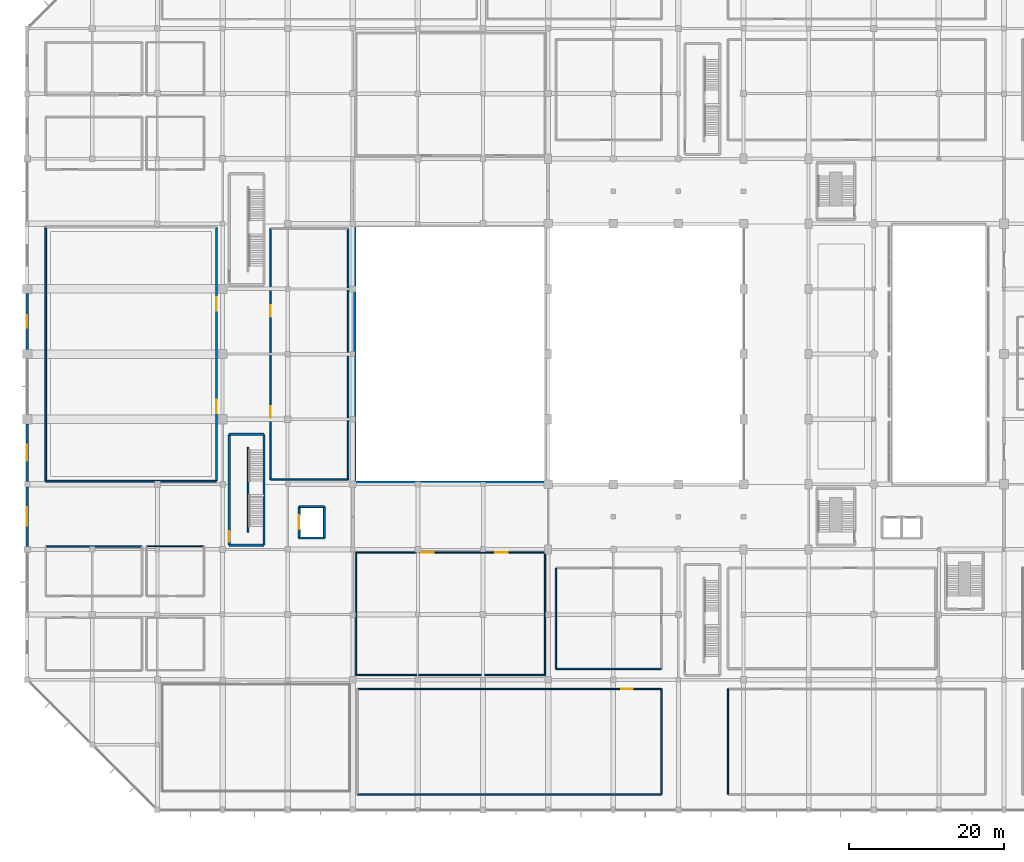
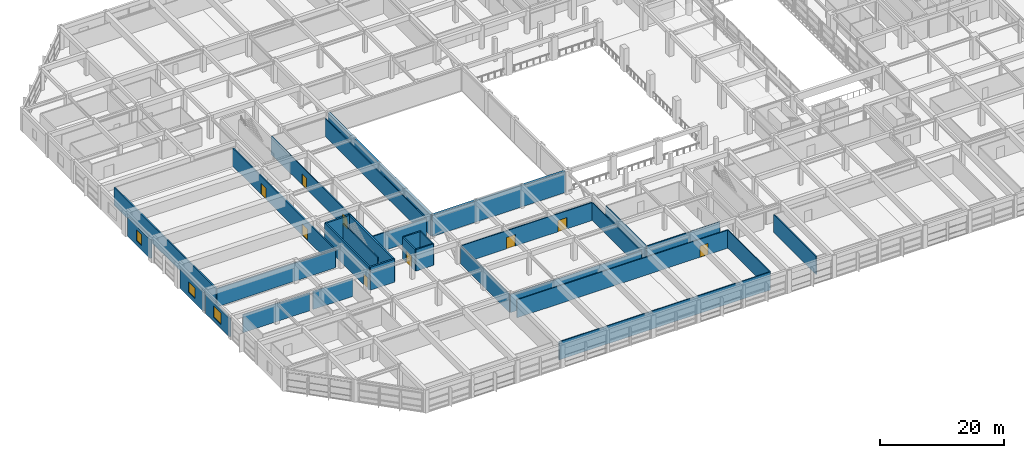
# One storey, part 51 of 65: 32 walls, 9 doors, 3 windows, 12 openings.
"""IFC4 building model written with IfcOpenShell, lengths in metres."""

import ifcopenshell
import ifcopenshell.guid

model = None  # the IFC model being written
_history = None  # IfcOwnerHistory: only IFC2X3 demands one
_inside = {}  # id of a spatial element -> (the spatial element, [elements in it])
_under = {}  # id of a project, library or spatial element -> (it, [spatial elements below it])
_declared = {}  # id of a project -> (the project, [libraries it declares])
_typed = {}  # id of a type object -> (the type object, [elements of that type])
_made_of = {}  # id of a material, layer set ... -> (it, [elements and type objects made of it])


def new_model(schema):
    """Start an empty IFC model of exactly this schema.

    Asked for "IFC4X3", IfcOpenShell would pick the latest addendum, in which some entities
    have other attributes; the version numbers below select the first issue.
    IFC2X3 requires an IfcOwnerHistory on every rooted entity: one is made here for all.
    """
    global model, _history
    if schema == "IFC4X3":
        model = ifcopenshell.file(schema_version=(4, 3, 0, 0))
    else:
        model = ifcopenshell.file(schema=schema)
    _inside.clear()
    _under.clear()
    _declared.clear()
    _typed.clear()
    _made_of.clear()
    _history = None
    if model.schema == "IFC2X3":
        org = make("IfcOrganization", Name="unknown")
        user = make(
            "IfcPersonAndOrganization",
            ThePerson=make("IfcPerson", FamilyName="unknown"),
            TheOrganization=org,
        )
        app = make(
            "IfcApplication",
            ApplicationDeveloper=org,
            Version="unknown",
            ApplicationFullName="unknown",
            ApplicationIdentifier="unknown",
        )
        _history = make(
            "IfcOwnerHistory",
            OwningUser=user,
            OwningApplication=app,
            ChangeAction="ADDED",
            CreationDate=0,
        )
    return model


def make(cls, **values):
    """One entity of the class cls with the attributes given. An attribute that is None is left unset."""
    return model.create_entity(
        cls, **{name: value for name, value in values.items() if value is not None}
    )


def rooted(cls, **values):
    """An entity with a GlobalId (a new one), such as an element, a storey or a relation."""
    return make(cls, GlobalId=ifcopenshell.guid.new(), OwnerHistory=_history, **values)


def si_unit(unit_type, name, prefix=None):
    """IfcSIUnit, for example si_unit("LENGTHUNIT", "METRE", prefix="MILLI")."""
    return make("IfcSIUnit", UnitType=unit_type, Prefix=prefix, Name=name)


def assignment(units):
    """IfcUnitAssignment: the units of a project."""
    return None if units is None else make("IfcUnitAssignment", Units=units)


def point(xyz):
    """IfcCartesianPoint."""
    return None if xyz is None else make("IfcCartesianPoint", Coordinates=xyz)


def direction(xyz):
    """IfcDirection."""
    return None if xyz is None else make("IfcDirection", DirectionRatios=xyz)


def frame(location, z_axis=None, x_axis=None):
    """IfcAxis2Placement3D, a coordinate frame: its origin and axes. An axis left out is left unset."""
    return make(
        "IfcAxis2Placement3D",
        Location=point(location),
        Axis=direction(z_axis),
        RefDirection=direction(x_axis),
    )


def frame_2d(location, x_axis=None):
    """IfcAxis2Placement2D, a coordinate frame in the plane: its origin and x axis."""
    return make(
        "IfcAxis2Placement2D", Location=point(location), RefDirection=direction(x_axis)
    )


def origin():
    """The frame at (0, 0, 0) with its axes left unset."""
    return frame((0.0, 0.0, 0.0))


def place(relative_to, where):
    """IfcLocalPlacement: puts the frame where relative to a parent placement (None: the world)."""
    return make(
        "IfcLocalPlacement", PlacementRelTo=relative_to, RelativePlacement=where
    )


def context(
    kind, dimensions, precision=None, world=None, true_north=None, identifier=None
):
    """IfcGeometricRepresentationContext, for example the 3D "Model" context."""
    return make(
        "IfcGeometricRepresentationContext",
        ContextIdentifier=identifier,
        ContextType=kind,
        CoordinateSpaceDimension=dimensions,
        Precision=precision,
        WorldCoordinateSystem=world,
        TrueNorth=true_north,
    )


def subcontext(parent, identifier, kind, view, scale=None):
    """IfcGeometricRepresentationSubContext, for example "Body" below "Model"."""
    return make(
        "IfcGeometricRepresentationSubContext",
        ContextIdentifier=identifier,
        ContextType=kind,
        ParentContext=parent,
        TargetScale=scale,
        TargetView=view,
    )


def project(units=None, contexts=None):
    """IfcProject with its units and contexts."""
    return rooted(
        "IfcProject",
        Name="project",
        RepresentationContexts=contexts,
        UnitsInContext=assignment(units),
    )


def spatial(cls, under=None, at=None, **own):
    """A site, building, storey or space (cls), placed at a placement, below another one or the project."""
    s = rooted(cls, ObjectPlacement=at, **own)
    if under is not None:
        _under.setdefault(under.id(), (under, []))[1].append(s)
    return s


def profile(cls, at=None, kind="AREA", **sizes):
    """A parametric profile (cls). Its sizes go by their IFC names, for example OverallWidth=200.0."""
    return make(cls, ProfileType=kind, Position=at, **sizes)


def rectangle(**sizes):
    """IfcRectangleProfileDef."""
    return profile("IfcRectangleProfileDef", **sizes)


def extrude(swept, where, along, depth):
    """IfcExtrudedAreaSolid: the profile swept, set in the frame where, extruded along a direction by depth."""
    return make(
        "IfcExtrudedAreaSolid",
        SweptArea=swept,
        Position=where,
        ExtrudedDirection=direction(along),
        Depth=depth,
    )


def shape(context_of_items, identifier, shape_type, items):
    """IfcShapeRepresentation: the items that make up one representation, for example the "Body"."""
    return make(
        "IfcShapeRepresentation",
        ContextOfItems=context_of_items,
        RepresentationIdentifier=identifier,
        RepresentationType=shape_type,
        Items=items,
    )


def material(Name=None, Category=None):
    """IfcMaterial."""
    return make("IfcMaterial", Name=Name, Category=Category)


def layer(
    of_material, thickness, ventilated=None, Name=None, Category=None, Priority=None
):
    """IfcMaterialLayer: one layer of a wall or slab, of a material (None: an air gap)."""
    return make(
        "IfcMaterialLayer",
        Material=of_material,
        LayerThickness=thickness,
        IsVentilated=ventilated,
        Name=Name,
        Category=Category,
        Priority=Priority,
    )


def layer_set(layers, Name=None):
    """IfcMaterialLayerSet."""
    return make("IfcMaterialLayerSet", MaterialLayers=layers, LayerSetName=Name)


def made_of(thing, what):
    """Note that an element or type object is made of a material, layer set ...; save() writes the relation."""
    if what is not None:
        _made_of.setdefault(what.id(), (what, []))[1].append(thing)
    return thing


def type_object(cls, material=None, **own):
    """A type object (cls), such as IfcWallType, which elements share."""
    return made_of(rooted(cls, **own), material)


def element(
    cls,
    number,
    at=None,
    inside=None,
    cuts=None,
    type_object=None,
    material=None,
    context=None,
    identifier="Body",
    shape_type=None,
    held_by="IfcProductDefinitionShape",
    body=None,
    shapes=None,
    **own,
):
    """One element of the class cls, such as IfcWall. Its Tag is "e" and its number.

    at: its placement. inside: the storey or other place that contains it. cuts: it is an
    opening in that element (IfcRelVoidsElement). A single representation is given by context,
    identifier, shape_type and body (its items); several are given by shapes. held_by: the class
    of the entity that holds the representations. save() writes the other relations.
    """
    e = rooted(cls, Tag="e%d" % number, ObjectPlacement=at, **own)
    if body is not None:
        shapes = [shape(context, identifier, shape_type, body)]
    if shapes is not None:
        e.Representation = make(held_by, Representations=shapes)
    if inside is not None:
        _inside.setdefault(inside.id(), (inside, []))[1].append(e)
    if cuts is not None:
        rooted(
            "IfcRelVoidsElement", RelatingBuildingElement=cuts, RelatedOpeningElement=e
        )
    if type_object is not None:
        _typed.setdefault(type_object.id(), (type_object, []))[1].append(e)
    return made_of(e, material)


def fill(opening, filler):
    """IfcRelFillsElement: the door or window that sits in an opening."""
    return rooted(
        "IfcRelFillsElement",
        RelatingOpeningElement=opening,
        RelatedBuildingElement=filler,
    )


def aggregate(whole, parts):
    """IfcRelAggregates: a whole, such as a stair, and the parts it consists of."""
    return rooted("IfcRelAggregates", RelatingObject=whole, RelatedObjects=parts)


def save(model, path):
    """Write the relations noted so far, then the file.

    IfcRelAggregates (storeys below a building ...), IfcRelContainedInSpatialStructure (elements
    in a storey), IfcRelDefinesByType, IfcRelAssociatesMaterial and IfcRelDeclares: one each for
    every whole, place, type object, material and project.
    """
    for whole, parts in _under.values():
        aggregate(whole, parts)
    for where, things in _inside.values():
        rooted(
            "IfcRelContainedInSpatialStructure",
            RelatedElements=things,
            RelatingStructure=where,
        )
    for kind, things in _typed.values():
        rooted("IfcRelDefinesByType", RelatedObjects=things, RelatingType=kind)
    for what, things in _made_of.values():
        rooted("IfcRelAssociatesMaterial", RelatedObjects=things, RelatingMaterial=what)
    for by, libraries in _declared.values():
        rooted("IfcRelDeclares", RelatingContext=by, RelatedDefinitions=libraries)
    model.write(path)


model = new_model("IFC4")

# Units and contexts
model_context = context("Model", 3, precision=1e-05, world=origin(), true_north=direction((0.0, 1.0)))
body_context = subcontext(model_context, "Body", "Model", "MODEL_VIEW")
ifc_project = project(units=[si_unit("LENGTHUNIT", "METRE"), si_unit("AREAUNIT", "SQUARE_METRE"), si_unit("VOLUMEUNIT", "CUBIC_METRE"), si_unit("PLANEANGLEUNIT", "RADIAN"), si_unit("MASSUNIT", "GRAM", prefix="KILO")], contexts=[model_context])

# Site, building, storey
site_placement = place(None, origin())
site = spatial("IfcSite", under=ifc_project, at=site_placement, CompositionType="ELEMENT")
building_placement = place(site_placement, origin())
building = spatial("IfcBuilding", under=site, at=building_placement, Name="Xuanlan Plaza Opera House", CompositionType="ELEMENT")
storey_placement = place(building_placement, frame((0.0, 0.0, 5.39990234375)))
storey = spatial("IfcBuildingStorey", under=building, at=storey_placement, Name="L01", CompositionType="ELEMENT", Elevation=5.39990234375)

# Wall, opening, window
ifc_material_1 = material(Name="Anodised Aluminium 6063-T6 and Rockwool Cladding", Category="aluminium")
ifc_layer_1 = layer(ifc_material_1, 0.340087890625)
ifc_layer_set_1 = layer_set([ifc_layer_1], Name="Anodised Aluminium 6063-T6 and Rockwool Cladding")
wall_type_1 = type_object("IfcWallType", Name="ENV-WL-EW-02", PredefinedType="STANDARD", material=ifc_layer_set_1)
wall_1_placement = place(storey_placement, frame((0.0, 66.60009765625, 0.0), z_axis=(0.0, 0.0, 1.0), x_axis=(0.0, -1.0, 0.0)))
wall_1 = element("IfcWall", 1, at=wall_1_placement, inside=storey, type_object=wall_type_1, Name="Exterior Wall L01-053", PredefinedType="STANDARD", context=body_context, shape_type="SweptSolid", body=[
    extrude(rectangle(XDim=7.2001953125, YDim=0.340087890625, at=frame_2d((3.60009765625, 0.0))), origin(), (0.0, 0.0, 1.0), 3.68017578125),
])
opening_1_placement = place(wall_1_placement, frame((2.824951171875, 0.0, 0.85009765625)))
opening_1 = element("IfcOpeningElement", 2, at=opening_1_placement, cuts=wall_1, Name="Opening WN-20", PredefinedType="OPENING", context=body_context, shape_type="SweptSolid", body=[
    extrude(rectangle(XDim=1.550048828125, YDim=2.14990234375, at=frame_2d((0.77490234375, 1.074951171875))), frame((0.0, 0.179931640625, 0.0), z_axis=(0.0, -1.0, 0.0), x_axis=(1.0, 0.0, 0.0)), (0.0, 0.0, 1.0), 0.360107421875),
])
ifc_material_2 = material(Name="Anodised Aluminium 6063-T6 and Low-E Glass", Category="aluminium")
window_type_1 = type_object("IfcWindowType", Name="ENV-WN-WN-20", PartitioningType="SINGLE_PANEL", PredefinedType="WINDOW", material=ifc_material_2)
window_1_placement = place(opening_1_placement, origin())
window_1 = element("IfcWindow", 3, at=window_1_placement, inside=storey, type_object=window_type_1, Name="Facade Window L01-053", OverallHeight=2.14990234375, OverallWidth=1.550048828125, PartitioningType="SINGLE_PANEL", PredefinedType="WINDOW", context=body_context, shape_type="SweptSolid", body=[
    extrude(rectangle(XDim=1.550048828125, YDim=2.14990234375, at=frame_2d((0.77490234375, 1.074951171875))), frame((0.0, 0.030029296875, 0.0), z_axis=(0.0, -1.0, 0.0), x_axis=(1.0, 0.0, 0.0)), (0.0, 0.0, 1.0), 0.06005859375),
])
fill(opening_1, window_1)

ifc_layer_2 = layer(ifc_material_1, 0.31005859375)
ifc_layer_set_2 = layer_set([ifc_layer_2], Name="Anodised Aluminium 6063-T6 and Rockwool Cladding")
wall_type_2 = type_object("IfcWallType", Name="ENV-WL-EW-04", PredefinedType="STANDARD", material=ifc_layer_set_2)
wall_2_placement = place(storey_placement, frame((0.0, 49.800048828125, 0.0), z_axis=(0.0, 0.0, 1.0), x_axis=(0.0, -1.0, 0.0)))
wall_2 = element("IfcWall", 4, at=wall_2_placement, inside=storey, type_object=wall_type_2, Name="Exterior Wall L01-055", PredefinedType="STANDARD", context=body_context, shape_type="SweptSolid", body=[
    extrude(rectangle(XDim=7.449951171875, YDim=0.31005859375, at=frame_2d((3.72509765625, 0.0))), origin(), (0.0, 0.0, 1.0), 3.68017578125),
])
opening_2_placement = place(wall_2_placement, frame((2.675048828125, 0.0, 0.85009765625)))
opening_2 = element("IfcOpeningElement", 5, at=opening_2_placement, cuts=wall_2, Name="Opening WN-02", PredefinedType="OPENING", context=body_context, shape_type="SweptSolid", body=[
    extrude(rectangle(XDim=2.10009765625, YDim=2.10009765625, at=frame_2d((1.050048828125, 1.050048828125))), frame((0.0, 0.1650390625, 0.0), z_axis=(0.0, -1.0, 0.0), x_axis=(1.0, 0.0, 0.0)), (0.0, 0.0, 1.0), 0.330078125),
])
window_type_2 = type_object("IfcWindowType", Name="ENV-WN-WN-02", PartitioningType="DOUBLE_PANEL_VERTICAL", PredefinedType="WINDOW", material=ifc_material_2)
window_2_placement = place(opening_2_placement, origin())
window_2 = element("IfcWindow", 6, at=window_2_placement, inside=storey, type_object=window_type_2, Name="Facade Window L01-055", OverallHeight=2.10009765625, OverallWidth=2.10009765625, PartitioningType="DOUBLE_PANEL_VERTICAL", PredefinedType="WINDOW", context=body_context, shape_type="SweptSolid", body=[
    extrude(rectangle(XDim=2.10009765625, YDim=2.10009765625, at=frame_2d((1.050048828125, 1.050048828125))), frame((0.0, 0.030029296875, 0.0), z_axis=(0.0, -1.0, 0.0), x_axis=(1.0, 0.0, 0.0)), (0.0, 0.0, 1.0), 0.06005859375),
])
fill(opening_2, window_2)

ifc_layer_3 = layer(ifc_material_1, 0.2900390625)
ifc_layer_set_3 = layer_set([ifc_layer_3], Name="Anodised Aluminium 6063-T6 and Rockwool Cladding")
wall_type_3 = type_object("IfcWallType", Name="ENV-WL-EW-05", PredefinedType="STANDARD", material=ifc_layer_set_3)
wall_3_placement = place(storey_placement, frame((0.0, 41.64990234375, 0.0), z_axis=(0.0, 0.0, 1.0), x_axis=(0.0, -1.0, 0.0)))
wall_3 = element("IfcWall", 7, at=wall_3_placement, inside=storey, type_object=wall_type_3, Name="Exterior Wall L01-056", PredefinedType="STANDARD", context=body_context, shape_type="SweptSolid", body=[
    extrude(rectangle(XDim=7.64990234375, YDim=0.2900390625, at=frame_2d((3.824951171875, 0.0))), origin(), (0.0, 0.0, 1.0), 3.68017578125),
])
opening_3_placement = place(wall_3_placement, frame((2.625, 0.0, 0.85009765625)))
opening_3 = element("IfcOpeningElement", 8, at=opening_3_placement, cuts=wall_3, Name="Opening WN-03", PredefinedType="OPENING", context=body_context, shape_type="SweptSolid", body=[
    extrude(rectangle(XDim=2.39990234375, YDim=2.199951171875, at=frame_2d((1.199951171875, 1.10009765625))), frame((0.0, 0.155029296875, 0.0), z_axis=(0.0, -1.0, 0.0), x_axis=(1.0, 0.0, 0.0)), (0.0, 0.0, 1.0), 0.31005859375),
])
window_type_3 = type_object("IfcWindowType", Name="ENV-WN-WN-03", PartitioningType="TRIPLE_PANEL_VERTICAL", PredefinedType="WINDOW", material=ifc_material_2)
window_3_placement = place(opening_3_placement, origin())
window_3 = element("IfcWindow", 9, at=window_3_placement, inside=storey, type_object=window_type_3, Name="Facade Window L01-056", OverallHeight=2.199951171875, OverallWidth=2.39990234375, PartitioningType="TRIPLE_PANEL_VERTICAL", PredefinedType="WINDOW", context=body_context, shape_type="SweptSolid", body=[
    extrude(rectangle(XDim=2.39990234375, YDim=2.199951171875, at=frame_2d((1.199951171875, 1.10009765625))), frame((0.0, 0.030029296875, 0.0), z_axis=(0.0, -1.0, 0.0), x_axis=(1.0, 0.0, 0.0)), (0.0, 0.0, 1.0), 0.06005859375),
])
fill(opening_3, window_3)

# Walls
ifc_material_3 = material(Name="Gypsum Board and Galvanised Steel Studs", Category="gypsum")
ifc_layer_4 = layer(ifc_material_3, 0.239990234375)
ifc_layer_set_4 = layer_set([ifc_layer_4], Name="Gypsum Board and Galvanised Steel Studs")
wall_type_4 = type_object("IfcWallType", Name="INT-WL-PW-01", PredefinedType="PARTITIONING", material=ifc_layer_set_4)
wall_4_placement = place(storey_placement, frame((2.39990234375, 42.39990234375, 0.0), z_axis=(0.0, 0.0, 1.0), x_axis=(1.0, 0.0, 0.0)))
element("IfcWall", 10, at=wall_4_placement, inside=storey, type_object=wall_type_4, Name="Orchestra Rehearsal Stage Wall South", PredefinedType="PARTITIONING", context=body_context, shape_type="SweptSolid", body=[
    extrude(rectangle(XDim=22.0, YDim=0.239990234375, at=frame_2d((11.0, 0.0))), origin(), (0.0, 0.0, 1.0), 3.5400390625),
])
wall_5_placement = place(storey_placement, frame((2.39990234375, 42.39990234375, 0.0), z_axis=(0.0, 0.0, 1.0), x_axis=(0.0, 1.0, 0.0)))
element("IfcWall", 11, at=wall_5_placement, inside=storey, type_object=wall_type_4, Name="Orchestra Rehearsal Stage Wall West", PredefinedType="PARTITIONING", context=body_context, shape_type="SweptSolid", body=[
    extrude(rectangle(XDim=32.800048828125, YDim=0.239990234375, at=frame_2d((16.39990234375, 0.0))), origin(), (0.0, 0.0, 1.0), 3.5400390625),
])

# Wall, openings, doors
wall_6_placement = place(storey_placement, frame((24.39990234375, 42.39990234375, 0.0), z_axis=(0.0, 0.0, 1.0), x_axis=(0.0, 1.0, 0.0)))
wall_6 = element("IfcWall", 12, at=wall_6_placement, inside=storey, type_object=wall_type_4, Name="Orchestra Rehearsal Stage Wall East", PredefinedType="PARTITIONING", context=body_context, shape_type="SweptSolid", body=[
    extrude(rectangle(XDim=32.800048828125, YDim=0.239990234375, at=frame_2d((16.39990234375, 0.0))), origin(), (0.0, 0.0, 1.0), 3.5400390625),
])
opening_4_placement = place(wall_6_placement, frame((8.75, 0.0, 0.0)))
opening_4 = element("IfcOpeningElement", 13, at=opening_4_placement, cuts=wall_6, Name="Opening FD-03", PredefinedType="OPENING", context=body_context, shape_type="SweptSolid", body=[
    extrude(rectangle(XDim=1.75, YDim=2.199951171875, at=frame_2d((0.875, 1.10009765625))), frame((0.0, 0.1298828125, 0.0), z_axis=(0.0, -1.0, 0.0), x_axis=(1.0, 0.0, 0.0)), (0.0, 0.0, 1.0), 0.260009765625),
])
opening_5_placement = place(wall_6_placement, frame((22.0, 0.0, 0.0)))
opening_5 = element("IfcOpeningElement", 14, at=opening_5_placement, cuts=wall_6, Name="Opening FD-03", PredefinedType="OPENING", context=body_context, shape_type="SweptSolid", body=[
    extrude(rectangle(XDim=1.75, YDim=2.199951171875, at=frame_2d((0.875, 1.10009765625))), frame((0.0, 0.1298828125, 0.0), z_axis=(0.0, -1.0, 0.0), x_axis=(1.0, 0.0, 0.0)), (0.0, 0.0, 1.0), 0.260009765625),
])
ifc_material_4 = material(Name="Galvanised Steel Q235B", Category="steel")
door_type_1 = type_object("IfcDoorType", Name="INT-DR-FD-03", OperationType="DOUBLE_DOOR_SINGLE_SWING", PredefinedType="DOOR", material=ifc_material_4)
door_1_placement = place(opening_4_placement, origin())
door_1 = element("IfcDoor", 15, at=door_1_placement, inside=storey, type_object=door_type_1, Name="Orchestra Rehearsal Stage Door 1", OperationType="DOUBLE_DOOR_SINGLE_SWING", OverallHeight=2.199951171875, OverallWidth=1.75, PredefinedType="DOOR", context=body_context, shape_type="SweptSolid", body=[
    extrude(rectangle(XDim=1.75, YDim=2.199951171875, at=frame_2d((0.875, 1.10009765625))), frame((0.0, 0.02490234375, 0.0), z_axis=(0.0, -1.0, 0.0), x_axis=(1.0, 0.0, 0.0)), (0.0, 0.0, 1.0), 0.050048828125),
])
fill(opening_4, door_1)
door_2_placement = place(opening_5_placement, origin())
door_2 = element("IfcDoor", 16, at=door_2_placement, inside=storey, type_object=door_type_1, Name="Orchestra Rehearsal Stage Door 2", OperationType="DOUBLE_DOOR_SINGLE_SWING", OverallHeight=2.199951171875, OverallWidth=1.75, PredefinedType="DOOR", context=body_context, shape_type="SweptSolid", body=[
    extrude(rectangle(XDim=1.75, YDim=2.199951171875, at=frame_2d((0.875, 1.10009765625))), frame((0.0, 0.02490234375, 0.0), z_axis=(0.0, -1.0, 0.0), x_axis=(1.0, 0.0, 0.0)), (0.0, 0.0, 1.0), 0.050048828125),
])
fill(opening_5, door_2)

# Walls
ifc_layer_5 = layer(ifc_material_3, 0.179931640625)
ifc_layer_set_5 = layer_set([ifc_layer_5], Name="Gypsum Board and Galvanised Steel Studs")
wall_type_5 = type_object("IfcWallType", Name="INT-WL-PW-02", PredefinedType="PARTITIONING", material=ifc_layer_set_5)
wall_7_placement = place(storey_placement, frame((2.39990234375, 34.0, 0.0), z_axis=(0.0, 0.0, 1.0), x_axis=(1.0, 0.0, 0.0)))
element("IfcWall", 17, at=wall_7_placement, inside=storey, type_object=wall_type_5, Name="Principal Dressing Room 1 Wall North", PredefinedType="PARTITIONING", context=body_context, shape_type="SweptSolid", body=[
    extrude(rectangle(XDim=12.400146484375, YDim=0.179931640625, at=frame_2d((6.2001953125, 0.0))), origin(), (0.0, 0.0, 1.0), 3.5400390625),
])
wall_8_placement = place(storey_placement, frame((42.39990234375, 17.39990234375, 0.0), z_axis=(0.0, 0.0, 1.0), x_axis=(1.0, 0.0, 0.0)))
element("IfcWall", 18, at=wall_8_placement, inside=storey, type_object=wall_type_5, Name="Chorus Dressing Room South Wall South", PredefinedType="PARTITIONING", context=body_context, shape_type="SweptSolid", body=[
    extrude(rectangle(XDim=24.400146484375, YDim=0.179931640625, at=frame_2d((12.2001953125, 0.0))), origin(), (0.0, 0.0, 1.0), 3.5400390625),
])

# Wall, openings, doors
wall_9_placement = place(storey_placement, frame((42.39990234375, 33.199951171875, 0.0), z_axis=(0.0, 0.0, 1.0), x_axis=(1.0, 0.0, 0.0)))
wall_9 = element("IfcWall", 19, at=wall_9_placement, inside=storey, type_object=wall_type_5, Name="Chorus Dressing Room South Wall North", PredefinedType="PARTITIONING", context=body_context, shape_type="SweptSolid", body=[
    extrude(rectangle(XDim=24.400146484375, YDim=0.179931640625, at=frame_2d((12.2001953125, 0.0))), origin(), (0.0, 0.0, 1.0), 3.5400390625),
])
opening_6_placement = place(wall_9_placement, frame((8.449951171875, 0.0, 0.0)))
opening_6 = element("IfcOpeningElement", 20, at=opening_6_placement, cuts=wall_9, Name="Opening D-08", PredefinedType="OPENING", context=body_context, shape_type="SweptSolid", body=[
    extrude(rectangle(XDim=1.6201171875, YDim=2.219970703125, at=frame_2d((0.81005859375, 1.10986328125))), frame((0.0, 0.099853515625, 0.0), z_axis=(0.0, -1.0, 0.0), x_axis=(1.0, 0.0, 0.0)), (0.0, 0.0, 1.0), 0.199951171875),
])
opening_7_placement = place(wall_9_placement, frame((18.0, 0.0, 0.0)))
opening_7 = element("IfcOpeningElement", 21, at=opening_7_placement, cuts=wall_9, Name="Opening D-08", PredefinedType="OPENING", context=body_context, shape_type="SweptSolid", body=[
    extrude(rectangle(XDim=1.6201171875, YDim=2.219970703125, at=frame_2d((0.81005859375, 1.10986328125))), frame((0.0, 0.099853515625, 0.0), z_axis=(0.0, -1.0, 0.0), x_axis=(1.0, 0.0, 0.0)), (0.0, 0.0, 1.0), 0.199951171875),
])
ifc_material_5 = material(Name="Walnut Hardwood Timber", Category="wood")
door_type_2 = type_object("IfcDoorType", Name="INT-DR-D-08", OperationType="DOUBLE_DOOR_SINGLE_SWING", PredefinedType="DOOR", material=ifc_material_5)
door_3_placement = place(opening_6_placement, origin())
door_3 = element("IfcDoor", 22, at=door_3_placement, inside=storey, type_object=door_type_2, Name="Chorus Dressing Room South Door 1", OperationType="DOUBLE_DOOR_SINGLE_SWING", OverallHeight=2.219970703125, OverallWidth=1.6201171875, PredefinedType="DOOR", context=body_context, shape_type="SweptSolid", body=[
    extrude(rectangle(XDim=1.6201171875, YDim=2.219970703125, at=frame_2d((0.81005859375, 1.10986328125))), frame((0.0, 0.02490234375, 0.0), z_axis=(0.0, -1.0, 0.0), x_axis=(1.0, 0.0, 0.0)), (0.0, 0.0, 1.0), 0.050048828125),
])
fill(opening_6, door_3)
door_4_placement = place(opening_7_placement, origin())
door_4 = element("IfcDoor", 23, at=door_4_placement, inside=storey, type_object=door_type_2, Name="Chorus Dressing Room South Door 2", OperationType="DOUBLE_DOOR_SINGLE_SWING", OverallHeight=2.219970703125, OverallWidth=1.6201171875, PredefinedType="DOOR", context=body_context, shape_type="SweptSolid", body=[
    extrude(rectangle(XDim=1.6201171875, YDim=2.219970703125, at=frame_2d((0.81005859375, 1.10986328125))), frame((0.0, 0.02490234375, 0.0), z_axis=(0.0, -1.0, 0.0), x_axis=(1.0, 0.0, 0.0)), (0.0, 0.0, 1.0), 0.050048828125),
])
fill(opening_7, door_4)

# Walls
for number, where, z_axis, x_axis, name in (
    (24, (42.39990234375, 17.39990234375, 0.0), (0.0, 0.0, 1.0), (0.0, 1.0, 0.0), "Chorus Dressing Room South Wall West"),
    (25, (66.800048828125, 17.39990234375, 0.0), (0.0, 0.0, 1.0), (0.0, 1.0, 0.0), "Chorus Dressing Room South Wall East"),
):
    element("IfcWall", number, at=place(storey_placement, frame(where, z_axis=z_axis, x_axis=x_axis)), inside=storey, type_object=wall_type_5, Name=name, PredefinedType="PARTITIONING", context=body_context, shape_type="SweptSolid", body=[
        extrude(rectangle(XDim=15.800048828125, YDim=0.179931640625, at=frame_2d((7.89990234375, 0.0))), origin(), (0.0, 0.0, 1.0), 3.5400390625),
    ])
wall_10_placement = place(storey_placement, frame((42.60009765625, 2.0, 0.0), z_axis=(0.0, 0.0, 1.0), x_axis=(1.0, 0.0, 0.0)))
element("IfcWall", 26, at=wall_10_placement, inside=storey, type_object=wall_type_5, Name="Costume Archive Store Wall South", PredefinedType="PARTITIONING", context=body_context, shape_type="SweptSolid", body=[
    extrude(rectangle(XDim=39.199951171875, YDim=0.179931640625, at=frame_2d((19.60009765625, 0.0))), origin(), (0.0, 0.0, 1.0), 3.5400390625),
])

# Wall, opening, door
wall_11_placement = place(storey_placement, frame((42.60009765625, 15.60009765625, 0.0), z_axis=(0.0, 0.0, 1.0), x_axis=(1.0, 0.0, 0.0)))
wall_11 = element("IfcWall", 27, at=wall_11_placement, inside=storey, type_object=wall_type_5, Name="Costume Archive Store Wall North", PredefinedType="PARTITIONING", context=body_context, shape_type="SweptSolid", body=[
    extrude(rectangle(XDim=39.199951171875, YDim=0.179931640625, at=frame_2d((19.60009765625, 0.0))), origin(), (0.0, 0.0, 1.0), 3.5400390625),
])
opening_8_placement = place(wall_11_placement, frame((34.0, 0.0, 0.0)))
opening_8 = element("IfcOpeningElement", 28, at=opening_8_placement, cuts=wall_11, Name="Opening D-03", PredefinedType="OPENING", context=body_context, shape_type="SweptSolid", body=[
    extrude(rectangle(XDim=1.5, YDim=2.199951171875, at=frame_2d((0.75, 1.10009765625))), frame((0.0, 0.099853515625, 0.0), z_axis=(0.0, -1.0, 0.0), x_axis=(1.0, 0.0, 0.0)), (0.0, 0.0, 1.0), 0.199951171875),
])
door_type_3 = type_object("IfcDoorType", Name="INT-DR-D-03", OperationType="DOUBLE_DOOR_SINGLE_SWING", PredefinedType="DOOR", material=ifc_material_5)
door_5_placement = place(opening_8_placement, origin())
door_5 = element("IfcDoor", 29, at=door_5_placement, inside=storey, type_object=door_type_3, Name="Costume Archive Store Door 1", OperationType="DOUBLE_DOOR_SINGLE_SWING", OverallHeight=2.199951171875, OverallWidth=1.5, PredefinedType="DOOR", context=body_context, shape_type="SweptSolid", body=[
    extrude(rectangle(XDim=1.5, YDim=2.199951171875, at=frame_2d((0.75, 1.10009765625))), frame((0.0, 0.02490234375, 0.0), z_axis=(0.0, -1.0, 0.0), x_axis=(1.0, 0.0, 0.0)), (0.0, 0.0, 1.0), 0.050048828125),
])
fill(opening_8, door_5)

# Walls
for number, where, z_axis, x_axis, name in (
    (30, (81.800048828125, 2.0, 0.0), (0.0, 0.0, 1.0), (0.0, 1.0, 0.0), "Costume Archive Store Wall East"),
    (31, (90.39990234375, 2.0, 0.0), (0.0, 0.0, 1.0), (0.0, 1.0, 0.0), "Stage Drapery and Backdrop Store Wall West"),
    (32, (68.199951171875, 18.199951171875, 0.0), (0.0, 0.0, 1.0), (1.0, 0.0, 0.0), "Make-up and Prosthetics Studio Wall South"),
):
    element("IfcWall", number, at=place(storey_placement, frame(where, z_axis=z_axis, x_axis=x_axis)), inside=storey, type_object=wall_type_5, Name=name, PredefinedType="PARTITIONING", context=body_context, shape_type="SweptSolid", body=[
        extrude(rectangle(XDim=13.60009765625, YDim=0.179931640625, at=frame_2d((6.800048828125, 0.0))), origin(), (0.0, 0.0, 1.0), 3.5400390625),
    ])
wall_12_placement = place(storey_placement, frame((68.199951171875, 18.199951171875, 0.0), z_axis=(0.0, 0.0, 1.0), x_axis=(0.0, 1.0, 0.0)))
element("IfcWall", 33, at=wall_12_placement, inside=storey, type_object=wall_type_5, Name="Make-up and Prosthetics Studio Wall West", PredefinedType="PARTITIONING", context=body_context, shape_type="SweptSolid", body=[
    extrude(rectangle(XDim=13.0, YDim=0.179931640625, at=frame_2d((6.5, 0.0))), origin(), (0.0, 0.0, 1.0), 3.5400390625),
])
wall_13_placement = place(storey_placement, frame((31.39990234375, 42.60009765625, 0.0), z_axis=(0.0, 0.0, 1.0), x_axis=(1.0, 0.0, 0.0)))
element("IfcWall", 34, at=wall_13_placement, inside=storey, type_object=wall_type_5, Name="Stage Properties Workshop Wall South", PredefinedType="PARTITIONING", context=body_context, shape_type="SweptSolid", body=[
    extrude(rectangle(XDim=10.0, YDim=0.179931640625, at=frame_2d((5.0, 0.0))), origin(), (0.0, 0.0, 1.0), 3.5400390625),
])

# Wall, openings, doors
wall_14_placement = place(storey_placement, frame((31.39990234375, 42.60009765625, 0.0), z_axis=(0.0, 0.0, 1.0), x_axis=(0.0, 1.0, 0.0)))
wall_14 = element("IfcWall", 35, at=wall_14_placement, inside=storey, type_object=wall_type_5, Name="Stage Properties Workshop Wall West", PredefinedType="PARTITIONING", context=body_context, shape_type="SweptSolid", body=[
    extrude(rectangle(XDim=32.39990234375, YDim=0.179931640625, at=frame_2d((16.199951171875, 0.0))), origin(), (0.0, 0.0, 1.0), 3.5400390625),
])
opening_9_placement = place(wall_14_placement, frame((8.0, 0.0, 0.0)))
opening_9 = element("IfcOpeningElement", 36, at=opening_9_placement, cuts=wall_14, Name="Opening D-03", PredefinedType="OPENING", context=body_context, shape_type="SweptSolid", body=[
    extrude(rectangle(XDim=1.5, YDim=2.199951171875, at=frame_2d((0.75, 1.10009765625))), frame((0.0, 0.099853515625, 0.0), z_axis=(0.0, -1.0, 0.0), x_axis=(1.0, 0.0, 0.0)), (0.0, 0.0, 1.0), 0.199951171875),
])
opening_10_placement = place(wall_14_placement, frame((21.0, 0.0, 0.0)))
opening_10 = element("IfcOpeningElement", 37, at=opening_10_placement, cuts=wall_14, Name="Opening D-03", PredefinedType="OPENING", context=body_context, shape_type="SweptSolid", body=[
    extrude(rectangle(XDim=1.5, YDim=2.199951171875, at=frame_2d((0.75, 1.10009765625))), frame((0.0, 0.099853515625, 0.0), z_axis=(0.0, -1.0, 0.0), x_axis=(1.0, 0.0, 0.0)), (0.0, 0.0, 1.0), 0.199951171875),
])
door_6_placement = place(opening_9_placement, origin())
door_6 = element("IfcDoor", 38, at=door_6_placement, inside=storey, type_object=door_type_3, Name="Stage Properties Workshop Door 1", OperationType="DOUBLE_DOOR_SINGLE_SWING", OverallHeight=2.199951171875, OverallWidth=1.5, PredefinedType="DOOR", context=body_context, shape_type="SweptSolid", body=[
    extrude(rectangle(XDim=1.5, YDim=2.199951171875, at=frame_2d((0.75, 1.10009765625))), frame((0.0, 0.02490234375, 0.0), z_axis=(0.0, -1.0, 0.0), x_axis=(1.0, 0.0, 0.0)), (0.0, 0.0, 1.0), 0.050048828125),
])
fill(opening_9, door_6)
door_7_placement = place(opening_10_placement, origin())
door_7 = element("IfcDoor", 39, at=door_7_placement, inside=storey, type_object=door_type_3, Name="Stage Properties Workshop Door 2", OperationType="DOUBLE_DOOR_SINGLE_SWING", OverallHeight=2.199951171875, OverallWidth=1.5, PredefinedType="DOOR", context=body_context, shape_type="SweptSolid", body=[
    extrude(rectangle(XDim=1.5, YDim=2.199951171875, at=frame_2d((0.75, 1.10009765625))), frame((0.0, 0.02490234375, 0.0), z_axis=(0.0, -1.0, 0.0), x_axis=(1.0, 0.0, 0.0)), (0.0, 0.0, 1.0), 0.050048828125),
])
fill(opening_10, door_7)

# Walls
wall_15_placement = place(storey_placement, frame((41.39990234375, 42.60009765625, 0.0), z_axis=(0.0, 0.0, 1.0), x_axis=(0.0, 1.0, 0.0)))
element("IfcWall", 40, at=wall_15_placement, inside=storey, type_object=wall_type_5, Name="Stage Properties Workshop Wall East", PredefinedType="PARTITIONING", context=body_context, shape_type="SweptSolid", body=[
    extrude(rectangle(XDim=32.39990234375, YDim=0.179931640625, at=frame_2d((16.199951171875, 0.0))), origin(), (0.0, 0.0, 1.0), 3.5400390625),
])
ifc_material_6 = material(Name="Autoclaved Aerated Blockwork Masonry", Category="masonry")
ifc_layer_6 = layer(ifc_material_6, 0.14990234375)
ifc_layer_set_6 = layer_set([ifc_layer_6], Name="Autoclaved Aerated Blockwork Masonry")
wall_type_6 = type_object("IfcWallType", Name="INT-WL-PW-03", PredefinedType="PARTITIONING", material=ifc_layer_set_6)
wall_16_placement = place(storey_placement, frame((15.39990234375, 34.0, 0.0), z_axis=(0.0, 0.0, 1.0), x_axis=(1.0, 0.0, 0.0)))
element("IfcWall", 41, at=wall_16_placement, inside=storey, type_object=wall_type_6, Name="Dressing Room Shower and WC 1 Wall North", PredefinedType="PARTITIONING", context=body_context, shape_type="SweptSolid", body=[
    extrude(rectangle(XDim=7.400146484375, YDim=0.14990234375, at=frame_2d((3.7001953125, 0.0))), origin(), (0.0, 0.0, 1.0), 3.5400390625),
])
ifc_material_7 = material(Name="Concrete C50", Category="concrete")
ifc_layer_7 = layer(ifc_material_7, 0.3798828125)
ifc_layer_set_7 = layer_set([ifc_layer_7], Name="Concrete C50")
wall_type_7 = type_object("IfcWallType", Name="INT-WL-SW-FW1", PredefinedType="SHEAR", material=ifc_layer_set_7)
wall_17_placement = place(storey_placement, frame((42.25, 42.25, 0.0), z_axis=(0.0, 0.0, 1.0), x_axis=(0.0, 1.0, 0.0)))
element("IfcWall", 42, at=wall_17_placement, inside=storey, type_object=wall_type_7, Name="Proscenium and Fly Shaft Wall L01-W", PredefinedType="SHEAR", context=body_context, shape_type="SweptSolid", body=[
    extrude(rectangle(XDim=33.10009765625, YDim=0.3798828125, at=frame_2d((16.550048828125, 0.0))), origin(), (0.0, 0.0, 1.0), 4.2001953125),
])
wall_18_placement = place(storey_placement, frame((42.25, 42.25, 0.0), z_axis=(0.0, 0.0, 1.0), x_axis=(1.0, 0.0, 0.0)))
element("IfcWall", 43, at=wall_18_placement, inside=storey, type_object=wall_type_7, Name="Proscenium and Fly Shaft Wall L01-S", PredefinedType="SHEAR", context=body_context, shape_type="SweptSolid", body=[
    extrude(rectangle(XDim=24.699951171875, YDim=0.3798828125, at=frame_2d((12.35009765625, 0.0))), origin(), (0.0, 0.0, 1.0), 4.2001953125),
])
ifc_material_8 = material(Name="Concrete C40", Category="concrete")
ifc_layer_8 = layer(ifc_material_8, 0.25)
ifc_layer_set_8 = layer_set([ifc_layer_8], Name="Concrete C40")
wall_type_8 = type_object("IfcWallType", Name="INT-WL-SW-LF1", PredefinedType="SHEAR", material=ifc_layer_set_8)
for number, where, z_axis, x_axis, name in (
    (44, (35.074951171875, 35.074951171875, 0.0), (0.0, 0.0, 1.0), (1.0, 0.0, 0.0), "Lift Shaft Wall LF-SC1 L01 South"),
    (45, (35.074951171875, 39.125, 0.0), (0.0, 0.0, 1.0), (1.0, 0.0, 0.0), "Lift Shaft Wall LF-SC1 L01 North"),
):
    element("IfcWall", number, at=place(storey_placement, frame(where, z_axis=z_axis, x_axis=x_axis)), inside=storey, type_object=wall_type_8, Name=name, PredefinedType="SHEAR", context=body_context, shape_type="SweptSolid", body=[
        extrude(rectangle(XDim=3.25, YDim=0.25, at=frame_2d((1.625, 0.0))), origin(), (0.0, 0.0, 1.0), 4.239990234375),
    ])

# Wall, opening, door
wall_19_placement = place(storey_placement, frame((35.074951171875, 35.074951171875, 0.0), z_axis=(0.0, 0.0, 1.0), x_axis=(0.0, 1.0, 0.0)))
wall_19 = element("IfcWall", 46, at=wall_19_placement, inside=storey, type_object=wall_type_8, Name="Lift Shaft Wall LF-SC1 L01 West", PredefinedType="SHEAR", context=body_context, shape_type="SweptSolid", body=[
    extrude(rectangle(XDim=4.050048828125, YDim=0.25, at=frame_2d((2.02490234375, 0.0))), origin(), (0.0, 0.0, 1.0), 4.239990234375),
])
opening_11_placement = place(wall_19_placement, frame((1.125, 0.0, 0.0)))
opening_11 = element("IfcOpeningElement", 47, at=opening_11_placement, cuts=wall_19, Name="Opening LD-SC1-L01", PredefinedType="OPENING", context=body_context, shape_type="SweptSolid", body=[
    extrude(rectangle(XDim=1.800048828125, YDim=2.300048828125, at=frame_2d((0.89990234375, 1.14990234375))), frame((0.0, 0.135009765625, 0.0), z_axis=(0.0, -1.0, 0.0), x_axis=(1.0, 0.0, 0.0)), (0.0, 0.0, 1.0), 0.27001953125),
])
ifc_material_9 = material(Name="Stainless Steel S30408", Category="steel")
door_type_4 = type_object("IfcDoorType", Name="INT-DR-LD-03", OperationType="DOUBLE_DOOR_SLIDING", PredefinedType="DOOR", material=ifc_material_9)
door_8_placement = place(opening_11_placement, origin())
door_8 = element("IfcDoor", 48, at=door_8_placement, inside=storey, type_object=door_type_4, Name="Lift Sliding Landing Door LF-SC1 L01", OperationType="DOUBLE_DOOR_SLIDING", OverallHeight=2.300048828125, OverallWidth=1.800048828125, PredefinedType="DOOR", context=body_context, shape_type="SweptSolid", body=[
    extrude(rectangle(XDim=1.800048828125, YDim=2.300048828125, at=frame_2d((0.89990234375, 1.14990234375))), frame((0.0, 0.02490234375, 0.0), z_axis=(0.0, -1.0, 0.0), x_axis=(1.0, 0.0, 0.0)), (0.0, 0.0, 1.0), 0.050048828125),
])
fill(opening_11, door_8)

# Walls
wall_20_placement = place(storey_placement, frame((38.324951171875, 35.074951171875, 0.0), z_axis=(0.0, 0.0, 1.0), x_axis=(0.0, 1.0, 0.0)))
element("IfcWall", 49, at=wall_20_placement, inside=storey, type_object=wall_type_8, Name="Lift Shaft Wall LF-SC1 L01 East", PredefinedType="SHEAR", context=body_context, shape_type="SweptSolid", body=[
    extrude(rectangle(XDim=4.050048828125, YDim=0.25, at=frame_2d((2.02490234375, 0.0))), origin(), (0.0, 0.0, 1.0), 4.239990234375),
])
ifc_layer_9 = layer(ifc_material_8, 0.199951171875)
ifc_layer_set_9 = layer_set([ifc_layer_9], Name="Concrete C40")
wall_type_9 = type_object("IfcWallType", Name="INT-WL-SW-SPN", PredefinedType="SHEAR", material=ifc_layer_set_9)
wall_21_placement = place(storey_placement, frame((28.5, 35.800048828125, 0.0), z_axis=(0.0, 0.0, 1.0), x_axis=(0.0, 1.0, 0.0)))
element("IfcWall", 50, at=wall_21_placement, inside=storey, type_object=wall_type_9, Name="Stair Structural Spine Wall ST-P1 L01", PredefinedType="SHEAR", context=body_context, shape_type="SweptSolid", body=[
    extrude(rectangle(XDim=11.0, YDim=0.199951171875, at=frame_2d((5.5, 0.0))), origin(), (0.0, 0.0, 1.0), 4.5),
])
ifc_layer_10 = layer(ifc_material_8, 0.300048828125)
ifc_layer_set_10 = layer_set([ifc_layer_10], Name="Concrete C40")
wall_type_10 = type_object("IfcWallType", Name="INT-WL-SW-ST1", PredefinedType="SHEAR", material=ifc_layer_set_10)
for number, where, z_axis, x_axis, name in (
    (51, (26.050048828125, 34.14990234375, 0.0), (0.0, 0.0, 1.0), (1.0, 0.0, 0.0), "Stair Core Wall ST-P1 L01 South"),
    (52, (26.050048828125, 48.449951171875, 0.0), (0.0, 0.0, 1.0), (1.0, 0.0, 0.0), "Stair Core Wall ST-P1 L01 North"),
):
    element("IfcWall", number, at=place(storey_placement, frame(where, z_axis=z_axis, x_axis=x_axis)), inside=storey, type_object=wall_type_10, Name=name, PredefinedType="SHEAR", context=body_context, shape_type="SweptSolid", body=[
        extrude(rectangle(XDim=4.5, YDim=0.300048828125, at=frame_2d((2.25, 0.0))), origin(), (0.0, 0.0, 1.0), 4.5),
    ])

# Wall, opening, door
wall_22_placement = place(storey_placement, frame((26.050048828125, 34.14990234375, 0.0), z_axis=(0.0, 0.0, 1.0), x_axis=(0.0, 1.0, 0.0)))
wall_22 = element("IfcWall", 53, at=wall_22_placement, inside=storey, type_object=wall_type_10, Name="Stair Core Wall ST-P1 L01 West", PredefinedType="SHEAR", context=body_context, shape_type="SweptSolid", body=[
    extrude(rectangle(XDim=14.300048828125, YDim=0.300048828125, at=frame_2d((7.14990234375, 0.0))), origin(), (0.0, 0.0, 1.0), 4.5),
])
opening_12_placement = place(wall_22_placement, frame((0.449951171875, 0.0, 0.0)))
opening_12 = element("IfcOpeningElement", 54, at=opening_12_placement, cuts=wall_22, Name="Opening FD-ST2", PredefinedType="OPENING", context=body_context, shape_type="SweptSolid", body=[
    extrude(rectangle(XDim=1.35009765625, YDim=2.14990234375, at=frame_2d((0.675048828125, 1.074951171875))), frame((0.0, 0.159912109375, 0.0), z_axis=(0.0, -1.0, 0.0), x_axis=(1.0, 0.0, 0.0)), (0.0, 0.0, 1.0), 0.320068359375),
])
door_type_5 = type_object("IfcDoorType", Name="INT-DR-FD-ST2", OperationType="NOTDEFINED", PredefinedType="DOOR", material=ifc_material_4)
door_9_placement = place(opening_12_placement, frame((1.35009765625, 0.0, 0.0), z_axis=(0.0, 0.0, 1.0), x_axis=(-1.0, 0.0, 0.0)))
door_9 = element("IfcDoor", 55, at=door_9_placement, inside=storey, type_object=door_type_5, Name="Stair Enclosure Fire Door ST-P1 L01", OperationType="SINGLE_SWING_LEFT", OverallHeight=2.14990234375, OverallWidth=1.35009765625, PredefinedType="DOOR", context=body_context, shape_type="SweptSolid", body=[
    extrude(rectangle(XDim=1.35009765625, YDim=2.14990234375, at=frame_2d((0.675048828125, 1.074951171875))), frame((0.0, 0.02490234375, 0.0), z_axis=(0.0, -1.0, 0.0), x_axis=(1.0, 0.0, 0.0)), (0.0, 0.0, 1.0), 0.050048828125),
])
fill(opening_12, door_9)

# Wall
wall_23_placement = place(storey_placement, frame((30.550048828125, 34.14990234375, 0.0), z_axis=(0.0, 0.0, 1.0), x_axis=(0.0, 1.0, 0.0)))
element("IfcWall", 56, at=wall_23_placement, inside=storey, type_object=wall_type_10, Name="Stair Core Wall ST-P1 L01 East", PredefinedType="SHEAR", context=body_context, shape_type="SweptSolid", body=[
    extrude(rectangle(XDim=14.300048828125, YDim=0.300048828125, at=frame_2d((7.14990234375, 0.0))), origin(), (0.0, 0.0, 1.0), 4.5),
])

save(model, "model.ifc")
